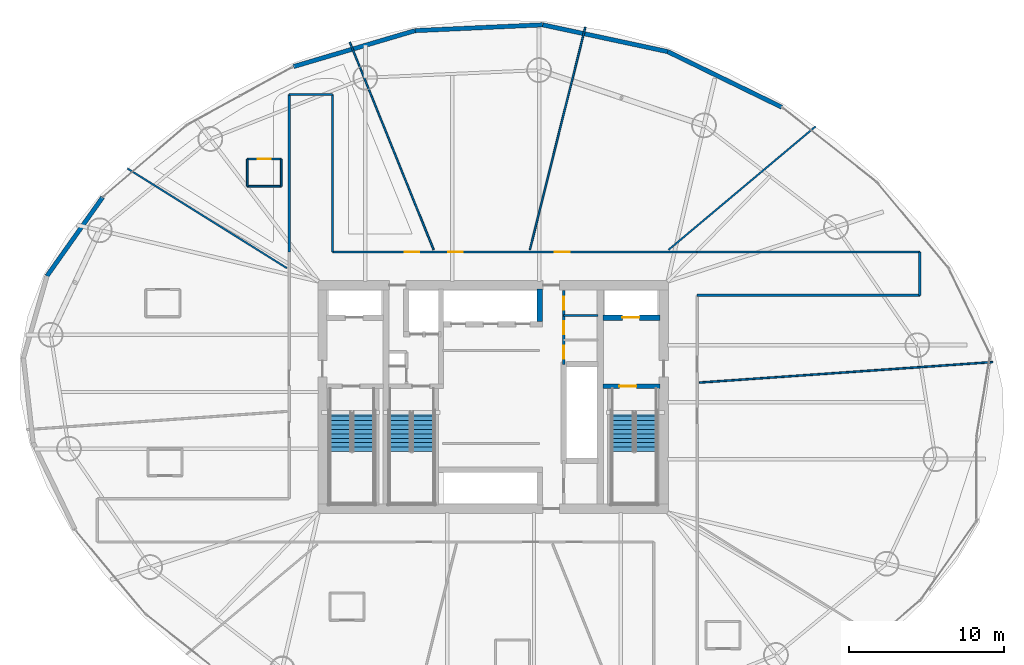
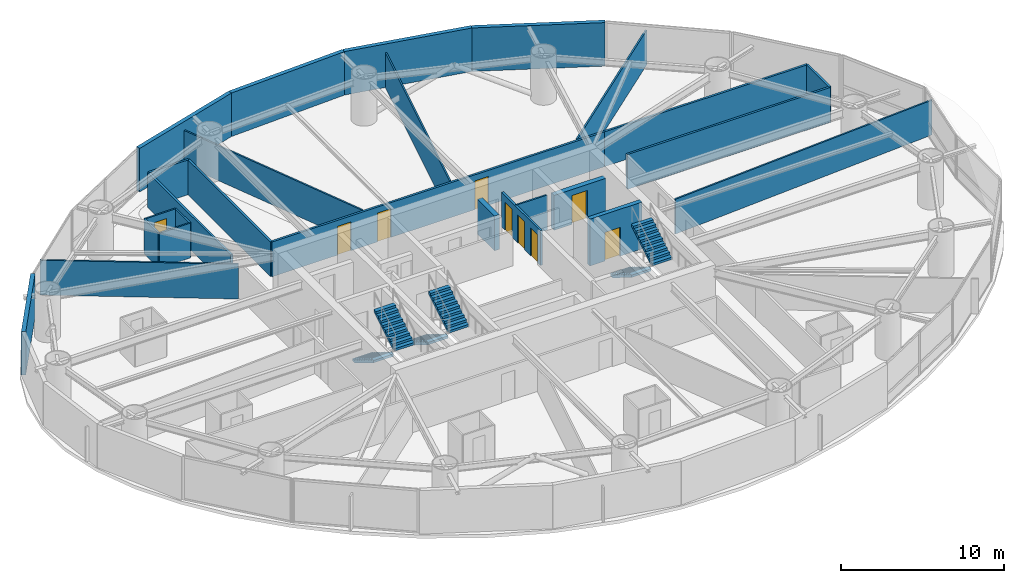
# One storey, part 23 of 25: 26 walls, 9 doors, 6 stair flights, 9 openings, 3 elements without a shape of their own.
"""IFC4 building model written with IfcOpenShell, lengths in metres."""

from ifc_helpers import new_model, si_unit, direction, frame, frame_2d, origin, place, context, subcontext, project, spatial, polyline, rectangle, outline, extrude, material, layer, layer_set, type_object, element, fill, aggregate, save


model = new_model("IFC4")

# Units and contexts
model_context = context("Model", 3, precision=1e-05, world=origin(), true_north=direction((0.0, 1.0)))
body_context = subcontext(model_context, "Body", "Model", "MODEL_VIEW")
ifc_project = project(units=[si_unit("LENGTHUNIT", "METRE"), si_unit("AREAUNIT", "SQUARE_METRE"), si_unit("VOLUMEUNIT", "CUBIC_METRE"), si_unit("PLANEANGLEUNIT", "RADIAN"), si_unit("MASSUNIT", "GRAM", prefix="KILO")], contexts=[model_context])

# Site, building, storey
site_placement = place(None, origin())
site = spatial("IfcSite", under=ifc_project, at=site_placement, CompositionType="ELEMENT")
building_placement = place(site_placement, origin())
building = spatial("IfcBuilding", under=site, at=building_placement, Name="Bramvorn Convention Spire", CompositionType="ELEMENT")
storey_placement = place(building_placement, frame((0.0, 0.0, 55.39990234375)))
storey = spatial("IfcBuildingStorey", under=building, at=storey_placement, Name="L11", CompositionType="ELEMENT", Elevation=55.39990234375)

# Wall, opening, door
ifc_material_1 = material(Name="Concrete C50/60", Category="concrete")
ifc_layer_1 = layer(ifc_material_1, 0.35009765625)
ifc_layer_set_1 = layer_set([ifc_layer_1], Name="Concrete C50/60 - WL-CORE-INT-350")
wall_type_1 = type_object("IfcWallType", Name="WL-CORE-INT-350", PredefinedType="SHEAR", material=ifc_layer_set_1)
wall_1_placement = place(storey_placement, frame((45.080078125, 31.1201171875, 0.0), z_axis=(0.0, 0.0, 1.0), x_axis=(1.0, 0.0, 0.0)))
wall_1 = element("IfcWall", 1, at=wall_1_placement, inside=storey, type_object=wall_type_1, Name="L11 FE2 shaft front wall", PredefinedType="SHEAR", context=body_context, shape_type="SweptSolid", body=[
    extrude(rectangle(XDim=3.669921875, YDim=0.35009765625, at=frame_2d((1.8349609375, 0.0))), origin(), (0.0, 0.0, 1.0), 2.60009765625),
])
opening_1_placement = place(wall_1_placement, frame((1.25, 0.0, 0.0)))
opening_1 = element("IfcOpeningElement", 2, at=opening_1_placement, cuts=wall_1, Name="Opening LD-110", PredefinedType="OPENING", context=body_context, shape_type="SweptSolid", body=[
    extrude(rectangle(XDim=1.10009765625, YDim=2.14990234375, at=frame_2d((0.550048828125, 1.074951171875))), frame((0.0, 0.18505859375, 0.0), z_axis=(0.0, -1.0, 0.0), x_axis=(1.0, 0.0, 0.0)), (0.0, 0.0, 1.0), 0.3701171875),
])
ifc_material_2 = material(Name="Firefighting & Service Lift Sliding Landing Door", Category="steel")
door_type_1 = type_object("IfcDoorType", Name="DR-LIFT-LD-1100", OperationType="NOTDEFINED", PredefinedType="DOOR", material=ifc_material_2)
door_1_placement = place(opening_1_placement, origin())
door_1 = element("IfcDoor", 3, at=door_1_placement, inside=storey, type_object=door_type_1, Name="L11 Lift FE2 Sliding Landing Door", OperationType="SLIDING_TO_LEFT", OverallHeight=2.14990234375, OverallWidth=1.10009765625, PredefinedType="DOOR", context=body_context, shape_type="SweptSolid", body=[
    extrude(rectangle(XDim=1.10009765625, YDim=2.14990234375, at=frame_2d((0.550048828125, 1.074951171875))), frame((0.0, 0.02490234375, 0.0), z_axis=(0.0, -1.0, 0.0), x_axis=(1.0, 0.0, 0.0)), (0.0, 0.0, 1.0), 0.050048828125),
])
fill(opening_1, door_1)

# Walls
wall_2_placement = place(storey_placement, frame((41.0, 30.8701171875, 0.0), z_axis=(0.0, 0.0, 1.0), x_axis=(0.0, 1.0, 0.0)))
element("IfcWall", 4, at=wall_2_placement, inside=storey, type_object=wall_type_1, Name="L11 Low-rise bank east cheek wall", PredefinedType="SHEAR", context=body_context, shape_type="SweptSolid", body=[
    extrude(rectangle(XDim=2.079833984375, YDim=0.35009765625, at=frame_2d((1.0400390625, 0.0))), origin(), (0.0, 0.0, 1.0), 2.60009765625),
])
ifc_material_3 = material(Name="Precast Concrete C40/50 with Bronze Terracotta Rainscreen", Category="masonry")
ifc_layer_2 = layer(ifc_material_3, 0.300048828125)
ifc_layer_set_2 = layer_set([ifc_layer_2], Name="Precast Concrete C40/50 with Bronze Terracotta Rainscreen - WL-EXT-BRONZE-300")
wall_type_2 = type_object("IfcWallType", Name="WL-EXT-BRONZE-300", PredefinedType="SOLIDWALL", material=ifc_layer_set_2)
wall_3_placement = place(storey_placement, frame((49.25537109375, 48.259521484375, 0.0), z_axis=(0.0, 0.0, 1.0), x_axis=(0.898987153937, -0.437974995926, 0.0)))
element("IfcWall", 5, at=wall_3_placement, inside=storey, type_object=wall_type_2, Name="L11 expressed bronze Gothic lancet pier wall 05", PredefinedType="SOLIDWALL", context=body_context, shape_type="SweptSolid", body=[
    extrude(rectangle(XDim=8.1708984375, YDim=0.280029296875, at=frame_2d((4.08544921875, 0.0))), origin(), (0.0, 0.0, 1.0), 3.25),
])
wall_4_placement = place(storey_placement, frame((41.197509765625, 49.988037109375, 0.0), z_axis=(0.0, 0.0, 1.0), x_axis=(0.977756870417, -0.209741513181, 0.0)))
element("IfcWall", 6, at=wall_4_placement, inside=storey, type_object=wall_type_2, Name="L11 expressed bronze Gothic lancet pier wall 06", PredefinedType="SOLIDWALL", context=body_context, shape_type="SweptSolid", body=[
    extrude(rectangle(XDim=8.2412109375, YDim=0.280029296875, at=frame_2d((4.12060546875, 0.0))), origin(), (0.0, 0.0, 1.0), 3.25),
])
wall_5_placement = place(storey_placement, frame((32.964599609375, 49.61328125, 0.0), z_axis=(0.0, 0.0, 1.0), x_axis=(0.998965606312, 0.045472160776, 0.0)))
element("IfcWall", 7, at=wall_5_placement, inside=storey, type_object=wall_type_2, Name="L11 expressed bronze Gothic lancet pier wall 07", PredefinedType="SOLIDWALL", context=body_context, shape_type="SweptSolid", body=[
    extrude(rectangle(XDim=8.241455078125, YDim=0.280029296875, at=frame_2d((4.12060546875, 0.0))), origin(), (0.0, 0.0, 1.0), 3.25),
])
wall_6_placement = place(storey_placement, frame((25.12939453125, 47.2958984375, 0.0), z_axis=(0.0, 0.0, 1.0), x_axis=(0.958936659471, 0.283620315075, 0.0)))
element("IfcWall", 8, at=wall_6_placement, inside=storey, type_object=wall_type_2, Name="L11 expressed bronze Gothic lancet pier wall 08", PredefinedType="SOLIDWALL", context=body_context, shape_type="SweptSolid", body=[
    extrude(rectangle(XDim=8.170654296875, YDim=0.280029296875, at=frame_2d((4.08544921875, 0.0))), origin(), (0.0, 0.0, 1.0), 3.25),
])
wall_7_placement = place(storey_placement, frame((9.2431640625, 33.79931640625, 0.0), z_axis=(0.0, 0.0, 1.0), x_axis=(0.577462164913, 0.816417447201, 0.0)))
element("IfcWall", 9, at=wall_7_placement, inside=storey, type_object=wall_type_2, Name="L11 expressed bronze Gothic lancet pier wall 11", PredefinedType="SOLIDWALL", context=body_context, shape_type="SweptSolid", body=[
    extrude(rectangle(XDim=6.2119140625, YDim=0.280029296875, at=frame_2d((3.10595703125, 0.0))), origin(), (0.0, 0.0, 1.0), 3.25),
])
ifc_material_4 = material(Name="Lightweight En-Suite & Wet-Wall Partition", Category="gypsum")
ifc_layer_3 = layer(ifc_material_4, 0.110107421875)
ifc_layer_set_3 = layer_set([ifc_layer_3], Name="Lightweight En-Suite & Wet-Wall Partition - WL-PART-110")
wall_type_3 = type_object("IfcWallType", Name="WL-PART-110", PredefinedType="PARTITIONING", material=ifc_layer_set_3)
wall_8_placement = place(storey_placement, frame((42.550048828125, 31.260009765625, 0.0), z_axis=(0.0, 0.0, 1.0), x_axis=(1.0, 0.0, 0.0)))
element("IfcWall", 10, at=wall_8_placement, inside=storey, type_object=wall_type_3, Name="L11 KC NE div 2", PredefinedType="PARTITIONING", context=body_context, shape_type="SweptSolid", body=[
    extrude(rectangle(XDim=2.199951171875, YDim=0.110107421875, at=frame_2d((1.10009765625, 0.0))), origin(), (0.0, 0.0, 1.0), 2.60009765625),
])
wall_9_placement = place(storey_placement, frame((51.2900390625, 26.92919921875, 0.0), z_axis=(0.0, 0.0, 1.0), x_axis=(0.997563842889, 0.069759439227, 0.0)))
element("IfcWall", 11, at=wall_9_placement, inside=storey, type_object=wall_type_3, Name="L11 Guestroom demising wall 1", PredefinedType="PARTITIONING", context=body_context, shape_type="SweptSolid", body=[
    extrude(rectangle(XDim=18.965087890625, YDim=0.110107421875, at=frame_2d((9.482421875, 0.0))), origin(), (0.0, 0.0, 1.0), 2.60009765625),
])
wall_10_placement = place(storey_placement, frame((49.309814453125, 35.489990234375, 0.0), z_axis=(0.0, 0.0, 1.0), x_axis=(0.766037598893, 0.64279576623, 0.0)))
element("IfcWall", 12, at=wall_10_placement, inside=storey, type_object=wall_type_3, Name="L11 Guestroom demising wall 2", PredefinedType="PARTITIONING", context=body_context, shape_type="SweptSolid", body=[
    extrude(rectangle(XDim=12.369384765625, YDim=0.110107421875, at=frame_2d((6.1845703125, 0.0))), origin(), (0.0, 0.0, 1.0), 2.60009765625),
])
wall_11_placement = place(storey_placement, frame((40.3662109375, 35.489990234375, 0.0), z_axis=(0.0, 0.0, 1.0), x_axis=(0.241922333807, 0.970295617019, 0.0)))
element("IfcWall", 13, at=wall_11_placement, inside=storey, type_object=wall_type_3, Name="L11 Guestroom demising wall 3", PredefinedType="PARTITIONING", context=body_context, shape_type="SweptSolid", body=[
    extrude(rectangle(XDim=14.800537109375, YDim=0.110107421875, at=frame_2d((7.400390625, 0.0))), origin(), (0.0, 0.0, 1.0), 2.60009765625),
])
wall_12_placement = place(storey_placement, frame((34.165771484375, 35.489990234375, 0.0), z_axis=(0.0, 0.0, 1.0), x_axis=(-0.374607028907, 0.927183678617, 0.0)))
element("IfcWall", 14, at=wall_12_placement, inside=storey, type_object=wall_type_3, Name="L11 Guestroom demising wall 4", PredefinedType="PARTITIONING", context=body_context, shape_type="SweptSolid", body=[
    extrude(rectangle(XDim=14.438232421875, YDim=0.110107421875, at=frame_2d((7.21923828125, 0.0))), origin(), (0.0, 0.0, 1.0), 2.60009765625),
])
wall_13_placement = place(storey_placement, frame((24.7099609375, 34.304443359375, 0.0), z_axis=(0.0, 0.0, 1.0), x_axis=(-0.848049161119, 0.529917559933, 0.0)))
element("IfcWall", 15, at=wall_13_placement, inside=storey, type_object=wall_type_3, Name="L11 Guestroom demising wall 5", PredefinedType="PARTITIONING", context=body_context, shape_type="SweptSolid", body=[
    extrude(rectangle(XDim=12.13525390625, YDim=0.110107421875, at=frame_2d((6.067626953125, 0.0))), origin(), (0.0, 0.0, 1.0), 2.60009765625),
])
wall_14_placement = place(storey_placement, frame((22.149658203125, 39.578369140625, 0.0), z_axis=(0.0, 0.0, 1.0), x_axis=(1.0, 0.0, 0.0)))
element("IfcWall", 16, at=wall_14_placement, inside=storey, type_object=wall_type_3, Name="Hotel Suite 1104 en-suite south wall", PredefinedType="PARTITIONING", context=body_context, shape_type="SweptSolid", body=[
    extrude(rectangle(XDim=2.199951171875, YDim=0.110107421875, at=frame_2d((1.10009765625, 0.0))), origin(), (0.0, 0.0, 1.0), 2.60009765625),
])

# Wall, opening, door
wall_15_placement = place(storey_placement, frame((22.149658203125, 41.33837890625, 0.0), z_axis=(0.0, 0.0, 1.0), x_axis=(1.0, 0.0, 0.0)))
wall_15 = element("IfcWall", 17, at=wall_15_placement, inside=storey, type_object=wall_type_3, Name="Hotel Suite 1104 en-suite north wall", PredefinedType="PARTITIONING", context=body_context, shape_type="SweptSolid", body=[
    extrude(rectangle(XDim=2.199951171875, YDim=0.110107421875, at=frame_2d((1.10009765625, 0.0))), origin(), (0.0, 0.0, 1.0), 2.60009765625),
])
opening_2_placement = place(wall_15_placement, frame((0.679931640625, 0.0, 0.0)))
opening_2 = element("IfcOpeningElement", 18, at=opening_2_placement, cuts=wall_15, Name="Opening DI-085", PredefinedType="OPENING", context=body_context, shape_type="SweptSolid", body=[
    extrude(rectangle(XDim=0.85009765625, YDim=2.10009765625, at=frame_2d((0.425048828125, 1.050048828125))), frame((0.0, 0.06494140625, 0.0), z_axis=(0.0, -1.0, 0.0), x_axis=(1.0, 0.0, 0.0)), (0.0, 0.0, 1.0), 0.130126953125),
])
ifc_material_5 = material(Name="En-Suite & Restroom Privacy Door", Category="wood")
door_type_2 = type_object("IfcDoorType", Name="DR-INT-850", OperationType="NOTDEFINED", PredefinedType="DOOR", material=ifc_material_5)
door_2_placement = place(opening_2_placement, origin())
door_2 = element("IfcDoor", 19, at=door_2_placement, inside=storey, type_object=door_type_2, Name="Hotel Suite 1104 En-Suite Bathroom door", OperationType="SINGLE_SWING_LEFT", OverallHeight=2.10009765625, OverallWidth=0.85009765625, PredefinedType="DOOR", context=body_context, shape_type="SweptSolid", body=[
    extrude(rectangle(XDim=0.85009765625, YDim=2.10009765625, at=frame_2d((0.425048828125, 1.050048828125))), frame((0.0, 0.02490234375, 0.0), z_axis=(0.0, -1.0, 0.0), x_axis=(1.0, 0.0, 0.0)), (0.0, 0.0, 1.0), 0.050048828125),
])
fill(opening_2, door_2)

# Walls
for number, where, z_axis, x_axis, name in (
    (20, (22.149658203125, 39.578369140625, 0.0), (0.0, 0.0, 1.0), (0.0, 1.0, 0.0), "Hotel Suite 1104 en-suite west wall"),
    (21, (24.349609375, 39.578369140625, 0.0), (0.0, 0.0, 1.0), (0.0, 1.0, 0.0), "Hotel Suite 1104 en-suite east wall"),
):
    element("IfcWall", number, at=place(storey_placement, frame(where, z_axis=z_axis, x_axis=x_axis)), inside=storey, type_object=wall_type_3, Name=name, PredefinedType="PARTITIONING", context=body_context, shape_type="SweptSolid", body=[
        extrude(rectangle(XDim=1.760009765625, YDim=0.110107421875, at=frame_2d((0.8798828125, 0.0))), origin(), (0.0, 0.0, 1.0), 2.60009765625),
    ])

# Wall, openings, doors
ifc_material_6 = material(Name="Acoustic Metal-Stud Tenant/Corridor Partition", Category="gypsum")
ifc_layer_4 = layer(ifc_material_6, 0.14990234375)
ifc_layer_set_4 = layer_set([ifc_layer_4], Name="Acoustic Metal-Stud Tenant/Corridor Partition - WL-PART-150")
wall_type_4 = type_object("IfcWallType", Name="WL-PART-150", PredefinedType="PARTITIONING", material=ifc_layer_set_4)
wall_16_placement = place(storey_placement, frame((42.550048828125, 28.10009765625, 0.0), z_axis=(0.0, 0.0, 1.0), x_axis=(0.0, 1.0, 0.0)))
wall_16 = element("IfcWall", 22, at=wall_16_placement, inside=storey, type_object=wall_type_4, Name="L11 KC NE wall", PredefinedType="PARTITIONING", context=body_context, shape_type="SweptSolid", body=[
    extrude(rectangle(XDim=4.75, YDim=0.14990234375, at=frame_2d((2.375, 0.0))), origin(), (0.0, 0.0, 1.0), 2.60009765625),
])
opening_3_placement = place(wall_16_placement, frame((0.35009765625, 0.0, 0.0)))
opening_3 = element("IfcOpeningElement", 23, at=opening_3_placement, cuts=wall_16, Name="Opening DC-085", PredefinedType="OPENING", context=body_context, shape_type="SweptSolid", body=[
    extrude(rectangle(XDim=0.85009765625, YDim=2.10009765625, at=frame_2d((0.425048828125, 1.050048828125))), frame((0.0, 0.0849609375, 0.0), z_axis=(0.0, -1.0, 0.0), x_axis=(1.0, 0.0, 0.0)), (0.0, 0.0, 1.0), 0.169921875),
])
opening_4_placement = place(wall_16_placement, frame((1.929931640625, 0.0, 0.0)))
opening_4 = element("IfcOpeningElement", 24, at=opening_4_placement, cuts=wall_16, Name="Opening DC-085", PredefinedType="OPENING", context=body_context, shape_type="SweptSolid", body=[
    extrude(rectangle(XDim=0.85009765625, YDim=2.10009765625, at=frame_2d((0.425048828125, 1.050048828125))), frame((0.0, 0.0849609375, 0.0), z_axis=(0.0, -1.0, 0.0), x_axis=(1.0, 0.0, 0.0)), (0.0, 0.0, 1.0), 0.169921875),
])
opening_5_placement = place(wall_16_placement, frame((3.510009765625, 0.0, 0.0)))
opening_5 = element("IfcOpeningElement", 25, at=opening_5_placement, cuts=wall_16, Name="Opening DC-085", PredefinedType="OPENING", context=body_context, shape_type="SweptSolid", body=[
    extrude(rectangle(XDim=0.85009765625, YDim=2.10009765625, at=frame_2d((0.425048828125, 1.050048828125))), frame((0.0, 0.0849609375, 0.0), z_axis=(0.0, -1.0, 0.0), x_axis=(1.0, 0.0, 0.0)), (0.0, 0.0, 1.0), 0.169921875),
])
ifc_material_7 = material(Name="Fire-Rated Core Washroom & IDF Door", Category="wood")
door_type_3 = type_object("IfcDoorType", Name="DR-CORE-850", OperationType="NOTDEFINED", PredefinedType="DOOR", material=ifc_material_7)
door_3_placement = place(opening_3_placement, origin())
door_3 = element("IfcDoor", 26, at=door_3_placement, inside=storey, type_object=door_type_3, Name="L11 Accessible Core Restroom door", OperationType="SINGLE_SWING_LEFT", OverallHeight=2.10009765625, OverallWidth=0.85009765625, PredefinedType="DOOR", context=body_context, shape_type="SweptSolid", body=[
    extrude(rectangle(XDim=0.85009765625, YDim=2.10009765625, at=frame_2d((0.425048828125, 1.050048828125))), frame((0.0, 0.02490234375, 0.0), z_axis=(0.0, -1.0, 0.0), x_axis=(1.0, 0.0, 0.0)), (0.0, 0.0, 1.0), 0.050048828125),
])
fill(opening_3, door_3)
door_4_placement = place(opening_4_placement, origin())
door_4 = element("IfcDoor", 27, at=door_4_placement, inside=storey, type_object=door_type_3, Name="L11 Floor Housekeeping & Linen Store door", OperationType="SINGLE_SWING_LEFT", OverallHeight=2.10009765625, OverallWidth=0.85009765625, PredefinedType="DOOR", context=body_context, shape_type="SweptSolid", body=[
    extrude(rectangle(XDim=0.85009765625, YDim=2.10009765625, at=frame_2d((0.425048828125, 1.050048828125))), frame((0.0, 0.02490234375, 0.0), z_axis=(0.0, -1.0, 0.0), x_axis=(1.0, 0.0, 0.0)), (0.0, 0.0, 1.0), 0.050048828125),
])
fill(opening_4, door_4)
door_5_placement = place(opening_5_placement, origin())
door_5 = element("IfcDoor", 28, at=door_5_placement, inside=storey, type_object=door_type_3, Name="L11 Core Comms Closet door", OperationType="SINGLE_SWING_LEFT", OverallHeight=2.10009765625, OverallWidth=0.85009765625, PredefinedType="DOOR", context=body_context, shape_type="SweptSolid", body=[
    extrude(rectangle(XDim=0.85009765625, YDim=2.10009765625, at=frame_2d((0.425048828125, 1.050048828125))), frame((0.0, 0.02490234375, 0.0), z_axis=(0.0, -1.0, 0.0), x_axis=(1.0, 0.0, 0.0)), (0.0, 0.0, 1.0), 0.050048828125),
])
fill(opening_5, door_5)

wall_17_placement = place(storey_placement, frame((27.64990234375, 35.35009765625, 0.0), z_axis=(0.0, 0.0, 1.0), x_axis=(1.0, 0.0, 0.0)))
wall_17 = element("IfcWall", 29, at=wall_17_placement, inside=storey, type_object=wall_type_4, Name="L11 North ring corridor wall", PredefinedType="PARTITIONING", context=body_context, shape_type="SweptSolid", body=[
    extrude(rectangle(XDim=23.5, YDim=0.14990234375, at=frame_2d((11.75, 0.0))), origin(), (0.0, 0.0, 1.0), 2.60009765625),
])
opening_6_placement = place(wall_17_placement, frame((14.333740234375, 0.0, 0.0)))
opening_6 = element("IfcOpeningElement", 30, at=opening_6_placement, cuts=wall_17, Name="Opening DH-095", PredefinedType="OPENING", context=body_context, shape_type="SweptSolid", body=[
    extrude(rectangle(XDim=0.949951171875, YDim=2.14990234375, at=frame_2d((0.47509765625, 1.074951171875))), frame((0.0, 0.0849609375, 0.0), z_axis=(0.0, -1.0, 0.0), x_axis=(1.0, 0.0, 0.0)), (0.0, 0.0, 1.0), 0.169921875),
])
opening_7_placement = place(wall_17_placement, frame((7.447265625, 0.0, 0.0)))
opening_7 = element("IfcOpeningElement", 31, at=opening_7_placement, cuts=wall_17, Name="Opening DH-095", PredefinedType="OPENING", context=body_context, shape_type="SweptSolid", body=[
    extrude(rectangle(XDim=0.949951171875, YDim=2.14990234375, at=frame_2d((0.47509765625, 1.074951171875))), frame((0.0, 0.0849609375, 0.0), z_axis=(0.0, -1.0, 0.0), x_axis=(1.0, 0.0, 0.0)), (0.0, 0.0, 1.0), 0.169921875),
])
opening_8_placement = place(wall_17_placement, frame((4.64013671875, 0.0, 0.0)))
opening_8 = element("IfcOpeningElement", 32, at=opening_8_placement, cuts=wall_17, Name="Opening DH-095", PredefinedType="OPENING", context=body_context, shape_type="SweptSolid", body=[
    extrude(rectangle(XDim=0.949951171875, YDim=2.14990234375, at=frame_2d((0.47509765625, 1.074951171875))), frame((0.0, 0.0849609375, 0.0), z_axis=(0.0, -1.0, 0.0), x_axis=(1.0, 0.0, 0.0)), (0.0, 0.0, 1.0), 0.169921875),
])
ifc_material_8 = material(Name="Solid-Core Acoustic Guestroom Entry Door", Category="wood")
door_type_4 = type_object("IfcDoorType", Name="DR-HOTEL-950", OperationType="NOTDEFINED", PredefinedType="DOOR", material=ifc_material_8)
door_6_placement = place(opening_6_placement, origin())
door_6 = element("IfcDoor", 33, at=door_6_placement, inside=storey, type_object=door_type_4, Name="L11 Hospitality Lounge 1 door", OperationType="SINGLE_SWING_RIGHT", OverallHeight=2.14990234375, OverallWidth=0.949951171875, PredefinedType="DOOR", context=body_context, shape_type="SweptSolid", body=[
    extrude(rectangle(XDim=0.949951171875, YDim=2.14990234375, at=frame_2d((0.47509765625, 1.074951171875))), frame((0.0, 0.02490234375, 0.0), z_axis=(0.0, -1.0, 0.0), x_axis=(1.0, 0.0, 0.0)), (0.0, 0.0, 1.0), 0.050048828125),
])
fill(opening_6, door_6)
door_7_placement = place(opening_7_placement, origin())
door_7 = element("IfcDoor", 34, at=door_7_placement, inside=storey, type_object=door_type_4, Name="L11 Hospitality Lounge 2 door", OperationType="SINGLE_SWING_LEFT", OverallHeight=2.14990234375, OverallWidth=0.949951171875, PredefinedType="DOOR", context=body_context, shape_type="SweptSolid", body=[
    extrude(rectangle(XDim=0.949951171875, YDim=2.14990234375, at=frame_2d((0.47509765625, 1.074951171875))), frame((0.0, 0.02490234375, 0.0), z_axis=(0.0, -1.0, 0.0), x_axis=(1.0, 0.0, 0.0)), (0.0, 0.0, 1.0), 0.050048828125),
])
fill(opening_7, door_7)
door_8_placement = place(opening_8_placement, origin())
door_8 = element("IfcDoor", 35, at=door_8_placement, inside=storey, type_object=door_type_4, Name="Hotel Suite 1104 entry door", OperationType="SINGLE_SWING_RIGHT", OverallHeight=2.14990234375, OverallWidth=0.949951171875, PredefinedType="DOOR", context=body_context, shape_type="SweptSolid", body=[
    extrude(rectangle(XDim=0.949951171875, YDim=2.14990234375, at=frame_2d((0.47509765625, 1.074951171875))), frame((0.0, 0.02490234375, 0.0), z_axis=(0.0, -1.0, 0.0), x_axis=(1.0, 0.0, 0.0)), (0.0, 0.0, 1.0), 0.050048828125),
])
fill(opening_8, door_8)

# Walls
for number, where, z_axis, x_axis, name in (
    (36, (51.14990234375, 35.35009765625, 0.0), (0.0, 0.0, 1.0), (1.0, 0.0, 0.0), "L11 NE pinwheel wing north wall"),
    (37, (51.14990234375, 32.550048828125, 0.0), (0.0, 0.0, 1.0), (1.0, 0.0, 0.0), "L11 NE pinwheel wing south wall"),
):
    element("IfcWall", number, at=place(storey_placement, frame(where, z_axis=z_axis, x_axis=x_axis)), inside=storey, type_object=wall_type_4, Name=name, PredefinedType="PARTITIONING", context=body_context, shape_type="SweptSolid", body=[
        extrude(rectangle(XDim=14.35009765625, YDim=0.14990234375, at=frame_2d((7.175048828125, 0.0))), origin(), (0.0, 0.0, 1.0), 2.60009765625),
    ])
wall_18_placement = place(storey_placement, frame((65.5, 32.550048828125, 0.0), z_axis=(0.0, 0.0, 1.0), x_axis=(0.0, 1.0, 0.0)))
element("IfcWall", 38, at=wall_18_placement, inside=storey, type_object=wall_type_4, Name="L11 NE pinwheel end wall", PredefinedType="PARTITIONING", context=body_context, shape_type="SweptSolid", body=[
    extrude(rectangle(XDim=2.800048828125, YDim=0.14990234375, at=frame_2d((1.39990234375, 0.0))), origin(), (0.0, 0.0, 1.0), 2.60009765625),
])
for number, where, z_axis, x_axis, name in (
    (39, (24.85009765625, 35.35009765625, 0.0), (0.0, 0.0, 1.0), (0.0, 1.0, 0.0), "L11 NW pinwheel wing west wall"),
    (40, (27.64990234375, 35.35009765625, 0.0), (0.0, 0.0, 1.0), (0.0, 1.0, 0.0), "L11 NW pinwheel wing east wall"),
):
    element("IfcWall", number, at=place(storey_placement, frame(where, z_axis=z_axis, x_axis=x_axis)), inside=storey, type_object=wall_type_4, Name=name, PredefinedType="PARTITIONING", context=body_context, shape_type="SweptSolid", body=[
        extrude(rectangle(XDim=10.14990234375, YDim=0.14990234375, at=frame_2d((5.074951171875, 0.0))), origin(), (0.0, 0.0, 1.0), 2.60009765625),
    ])
wall_19_placement = place(storey_placement, frame((24.85009765625, 45.5, 0.0), z_axis=(0.0, 0.0, 1.0), x_axis=(1.0, 0.0, 0.0)))
element("IfcWall", 41, at=wall_19_placement, inside=storey, type_object=wall_type_4, Name="L11 NW pinwheel end wall", PredefinedType="PARTITIONING", context=body_context, shape_type="SweptSolid", body=[
    extrude(rectangle(XDim=2.7998046875, YDim=0.14990234375, at=frame_2d((1.39990234375, 0.0))), origin(), (0.0, 0.0, 1.0), 2.60009765625),
])

# Wall, opening, door
ifc_layer_5 = layer(ifc_material_1, 0.300048828125)
ifc_layer_set_5 = layer_set([ifc_layer_5], Name="Concrete C50/60 - WL-POD-STAIR-300")
wall_type_5 = type_object("IfcWallType", Name="WL-POD-STAIR-300", PredefinedType="SHEAR", material=ifc_layer_set_5)
wall_20_placement = place(storey_placement, frame((45.080078125, 26.68994140625, 0.0), z_axis=(0.0, 0.0, 1.0), x_axis=(1.0, 0.0, 0.0)))
wall_20 = element("IfcWall", 42, at=wall_20_placement, inside=storey, type_object=wall_type_5, Name="L11 ST2 north fire wall", PredefinedType="SHEAR", context=body_context, shape_type="SweptSolid", body=[
    extrude(rectangle(XDim=3.669921875, YDim=0.300048828125, at=frame_2d((1.8349609375, 0.0))), origin(), (0.0, 0.0, 1.0), 3.5),
])
opening_9_placement = place(wall_20_placement, frame((1.050048828125, 0.0, 0.0)))
opening_9 = element("IfcOpeningElement", 43, at=opening_9_placement, cuts=wall_20, Name="Opening DS-110", PredefinedType="OPENING", context=body_context, shape_type="SweptSolid", body=[
    extrude(rectangle(XDim=1.10009765625, YDim=2.14990234375, at=frame_2d((0.550048828125, 1.074951171875))), frame((0.0, 0.159912109375, 0.0), z_axis=(0.0, -1.0, 0.0), x_axis=(1.0, 0.0, 0.0)), (0.0, 0.0, 1.0), 0.320068359375),
])
ifc_material_9 = material(Name="Fire-Rated Hollow Steel Stairwell Door", Category="steel")
door_type_5 = type_object("IfcDoorType", Name="DR-STAIR-1100", OperationType="NOTDEFINED", PredefinedType="DOOR", material=ifc_material_9)
door_9_placement = place(opening_9_placement, origin())
door_9 = element("IfcDoor", 44, at=door_9_placement, inside=storey, type_object=door_type_5, Name="L11 Stair ST2 fire door", OperationType="SINGLE_SWING_RIGHT", OverallHeight=2.14990234375, OverallWidth=1.10009765625, PredefinedType="DOOR", context=body_context, shape_type="SweptSolid", body=[
    extrude(rectangle(XDim=1.10009765625, YDim=2.14990234375, at=frame_2d((0.550048828125, 1.074951171875))), frame((0.0, 0.02490234375, 0.0), z_axis=(0.0, -1.0, 0.0), x_axis=(1.0, 0.0, 0.0)), (0.0, 0.0, 1.0), 0.050048828125),
])
fill(opening_9, door_9)

# Stair, stair flights
ifc_material_10 = material(Name="Concrete C40/50 Precast Stair", Category="concrete")
stair_type = type_object("IfcStairType", Name="ST-TOWER-1550", PredefinedType="HALF_TURN_STAIR", material=ifc_material_10)
stair_1_placement = place(storey_placement, origin())
stair_1 = element("IfcStair", 45, at=stair_1_placement, inside=storey, type_object=stair_type, Name="L11 Protected Exit Stair ST1", PredefinedType="HALF_TURN_STAIR")
ifc_material_11 = material(Name="Concrete C40/50 Precast Stair Flight", Category="concrete")
stair_flight_type = type_object("IfcStairFlightType", Name="STF-TOWER-1550", PredefinedType="STRAIGHT", material=ifc_material_11)
stair_flight_1_placement = place(storey_placement, frame((28.155029296875, 25.050048828125, 0.0), z_axis=(0.0, 0.0, 1.0), x_axis=(0.0, -1.0, 0.0)))
stair_flight_1 = element("IfcStairFlight", 46, at=stair_flight_1_placement, type_object=stair_flight_type, Name="ST1 flight 1", NumberOfRisers=10, NumberOfTreads=9, PredefinedType="STRAIGHT", RiserHeight=0.175, TreadLength=0.285, context=body_context, shape_type="SweptSolid", body=[
    extrude(outline(polyline([(0.0, 0.0), (0.0, 0.175048828125), (0.284912109375, 0.175048828125), (0.284912109375, 0.35009765625), (0.570068359375, 0.35009765625), (0.570068359375, 0.52490234375), (0.85498046875, 0.52490234375), (0.85498046875, 0.699951171875), (1.139892578125, 0.699951171875), (1.139892578125, 0.875), (1.425048828125, 0.875), (1.425048828125, 1.050048828125), (1.7099609375, 1.050048828125), (1.7099609375, 1.22509765625), (1.9951171875, 1.22509765625), (1.9951171875, 1.39990234375), (2.280029296875, 1.39990234375), (2.280029296875, 1.574951171875), (2.56494140625, 1.574951171875), (2.56494140625, 1.75), (2.56494140625, 1.399169921875), (0.286376953125, 0.0), (0.0, 0.0)])), frame((0.0, 0.705078125, 0.0), z_axis=(0.0, -1.0, 0.0), x_axis=(1.0, 0.0, 0.0)), (0.0, 0.0, 1.0), 1.409912109375),
])
stair_flight_2_placement = place(storey_placement, frame((29.64501953125, 22.485107421875, 1.75), z_axis=(0.0, 0.0, 1.0), x_axis=(0.0, 1.0, 0.0)))
stair_flight_2 = element("IfcStairFlight", 47, at=stair_flight_2_placement, type_object=stair_flight_type, Name="ST1 flight 2", NumberOfRisers=10, NumberOfTreads=9, PredefinedType="STRAIGHT", RiserHeight=0.175, TreadLength=0.285, context=body_context, shape_type="SweptSolid", body=[
    extrude(outline(polyline([(0.0, 0.0), (0.0, 0.175048828125), (0.284912109375, 0.175048828125), (0.284912109375, 0.35009765625), (0.570068359375, 0.35009765625), (0.570068359375, 0.52490234375), (0.85498046875, 0.52490234375), (0.85498046875, 0.699951171875), (1.139892578125, 0.699951171875), (1.139892578125, 0.875), (1.425048828125, 0.875), (1.425048828125, 1.050048828125), (1.7099609375, 1.050048828125), (1.7099609375, 1.22509765625), (1.9951171875, 1.22509765625), (1.9951171875, 1.39990234375), (2.280029296875, 1.39990234375), (2.280029296875, 1.574951171875), (2.56494140625, 1.574951171875), (2.56494140625, 1.75), (2.56494140625, 1.399169921875), (0.286376953125, 0.0), (0.0, 0.0)])), frame((0.0, 0.705078125, 0.0), z_axis=(0.0, -1.0, 0.0), x_axis=(1.0, 0.0, 0.0)), (0.0, 0.0, 1.0), 1.409912109375),
])
aggregate(stair_1, [stair_flight_1, stair_flight_2])

stair_2_placement = place(storey_placement, origin())
stair_2 = element("IfcStair", 48, at=stair_2_placement, inside=storey, type_object=stair_type, Name="L11 Protected Exit Stair ST2", PredefinedType="HALF_TURN_STAIR")
stair_flight_3_placement = place(storey_placement, frame((46.35498046875, 25.050048828125, 0.0), z_axis=(0.0, 0.0, 1.0), x_axis=(0.0, -1.0, 0.0)))
stair_flight_3 = element("IfcStairFlight", 49, at=stair_flight_3_placement, type_object=stair_flight_type, Name="ST2 flight 1", NumberOfRisers=10, NumberOfTreads=9, PredefinedType="STRAIGHT", RiserHeight=0.175, TreadLength=0.285, context=body_context, shape_type="SweptSolid", body=[
    extrude(outline(polyline([(0.0, 0.0), (0.0, 0.175048828125), (0.284912109375, 0.175048828125), (0.284912109375, 0.35009765625), (0.570068359375, 0.35009765625), (0.570068359375, 0.52490234375), (0.85498046875, 0.52490234375), (0.85498046875, 0.699951171875), (1.139892578125, 0.699951171875), (1.139892578125, 0.875), (1.425048828125, 0.875), (1.425048828125, 1.050048828125), (1.7099609375, 1.050048828125), (1.7099609375, 1.22509765625), (1.9951171875, 1.22509765625), (1.9951171875, 1.39990234375), (2.280029296875, 1.39990234375), (2.280029296875, 1.574951171875), (2.56494140625, 1.574951171875), (2.56494140625, 1.75), (2.56494140625, 1.399169921875), (0.286376953125, 0.0), (0.0, 0.0)])), frame((0.0, 0.705078125, 0.0), z_axis=(0.0, -1.0, 0.0), x_axis=(1.0, 0.0, 0.0)), (0.0, 0.0, 1.0), 1.409912109375),
])
stair_flight_4_placement = place(storey_placement, frame((47.844970703125, 22.485107421875, 1.75), z_axis=(0.0, 0.0, 1.0), x_axis=(0.0, 1.0, 0.0)))
stair_flight_4 = element("IfcStairFlight", 50, at=stair_flight_4_placement, type_object=stair_flight_type, Name="ST2 flight 2", NumberOfRisers=10, NumberOfTreads=9, PredefinedType="STRAIGHT", RiserHeight=0.175, TreadLength=0.285, context=body_context, shape_type="SweptSolid", body=[
    extrude(outline(polyline([(0.0, 0.0), (0.0, 0.175048828125), (0.284912109375, 0.175048828125), (0.284912109375, 0.35009765625), (0.570068359375, 0.35009765625), (0.570068359375, 0.52490234375), (0.85498046875, 0.52490234375), (0.85498046875, 0.699951171875), (1.139892578125, 0.699951171875), (1.139892578125, 0.875), (1.425048828125, 0.875), (1.425048828125, 1.050048828125), (1.7099609375, 1.050048828125), (1.7099609375, 1.22509765625), (1.9951171875, 1.22509765625), (1.9951171875, 1.39990234375), (2.280029296875, 1.39990234375), (2.280029296875, 1.574951171875), (2.56494140625, 1.574951171875), (2.56494140625, 1.75), (2.56494140625, 1.399169921875), (0.286376953125, 0.0), (0.0, 0.0)])), frame((0.0, 0.705078125, 0.0), z_axis=(0.0, -1.0, 0.0), x_axis=(1.0, 0.0, 0.0)), (0.0, 0.0, 1.0), 1.409912109375),
])
aggregate(stair_2, [stair_flight_3, stair_flight_4])

stair_3_placement = place(storey_placement, origin())
stair_3 = element("IfcStair", 51, at=stair_3_placement, inside=storey, type_object=stair_type, Name="L11 Protected Exit Stair ST3", PredefinedType="HALF_TURN_STAIR")
stair_flight_5_placement = place(storey_placement, frame((32.0048828125, 25.050048828125, 0.0), z_axis=(0.0, 0.0, 1.0), x_axis=(0.0, -1.0, 0.0)))
stair_flight_5 = element("IfcStairFlight", 52, at=stair_flight_5_placement, type_object=stair_flight_type, Name="ST3 flight 1", NumberOfRisers=10, NumberOfTreads=9, PredefinedType="STRAIGHT", RiserHeight=0.175, TreadLength=0.285, context=body_context, shape_type="SweptSolid", body=[
    extrude(outline(polyline([(0.0, 0.0), (0.0, 0.175048828125), (0.284912109375, 0.175048828125), (0.284912109375, 0.35009765625), (0.570068359375, 0.35009765625), (0.570068359375, 0.52490234375), (0.85498046875, 0.52490234375), (0.85498046875, 0.699951171875), (1.139892578125, 0.699951171875), (1.139892578125, 0.875), (1.425048828125, 0.875), (1.425048828125, 1.050048828125), (1.7099609375, 1.050048828125), (1.7099609375, 1.22509765625), (1.9951171875, 1.22509765625), (1.9951171875, 1.39990234375), (2.280029296875, 1.39990234375), (2.280029296875, 1.574951171875), (2.56494140625, 1.574951171875), (2.56494140625, 1.75), (2.56494140625, 1.399169921875), (0.286376953125, 0.0), (0.0, 0.0)])), frame((0.0, 0.705078125, 0.0), z_axis=(0.0, -1.0, 0.0), x_axis=(1.0, 0.0, 0.0)), (0.0, 0.0, 1.0), 1.409912109375),
])
stair_flight_6_placement = place(storey_placement, frame((33.4951171875, 22.485107421875, 1.75), z_axis=(0.0, 0.0, 1.0), x_axis=(0.0, 1.0, 0.0)))
stair_flight_6 = element("IfcStairFlight", 53, at=stair_flight_6_placement, type_object=stair_flight_type, Name="ST3 flight 2", NumberOfRisers=10, NumberOfTreads=9, PredefinedType="STRAIGHT", RiserHeight=0.175, TreadLength=0.285, context=body_context, shape_type="SweptSolid", body=[
    extrude(outline(polyline([(0.0, 0.0), (0.0, 0.175048828125), (0.284912109375, 0.175048828125), (0.284912109375, 0.35009765625), (0.570068359375, 0.35009765625), (0.570068359375, 0.52490234375), (0.85498046875, 0.52490234375), (0.85498046875, 0.699951171875), (1.139892578125, 0.699951171875), (1.139892578125, 0.875), (1.425048828125, 0.875), (1.425048828125, 1.050048828125), (1.7099609375, 1.050048828125), (1.7099609375, 1.22509765625), (1.9951171875, 1.22509765625), (1.9951171875, 1.39990234375), (2.280029296875, 1.39990234375), (2.280029296875, 1.574951171875), (2.56494140625, 1.574951171875), (2.56494140625, 1.75), (2.56494140625, 1.399169921875), (0.286376953125, 0.0), (0.0, 0.0)])), frame((0.0, 0.705078125, 0.0), z_axis=(0.0, -1.0, 0.0), x_axis=(1.0, 0.0, 0.0)), (0.0, 0.0, 1.0), 1.409912109375),
])
aggregate(stair_3, [stair_flight_5, stair_flight_6])

save(model, "model.ifc")
